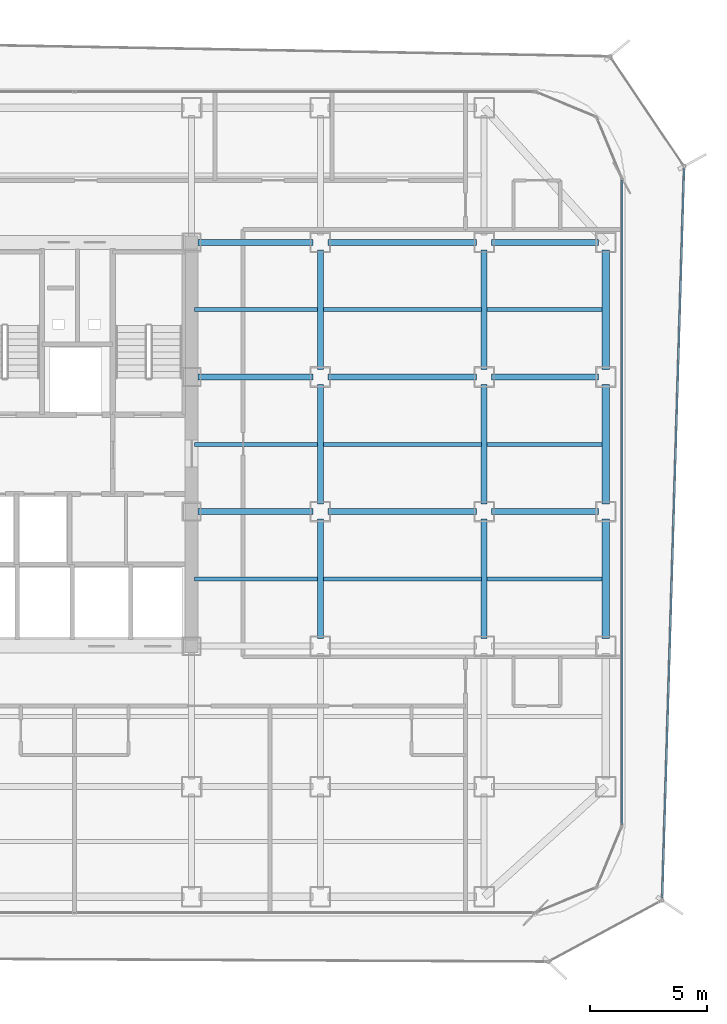
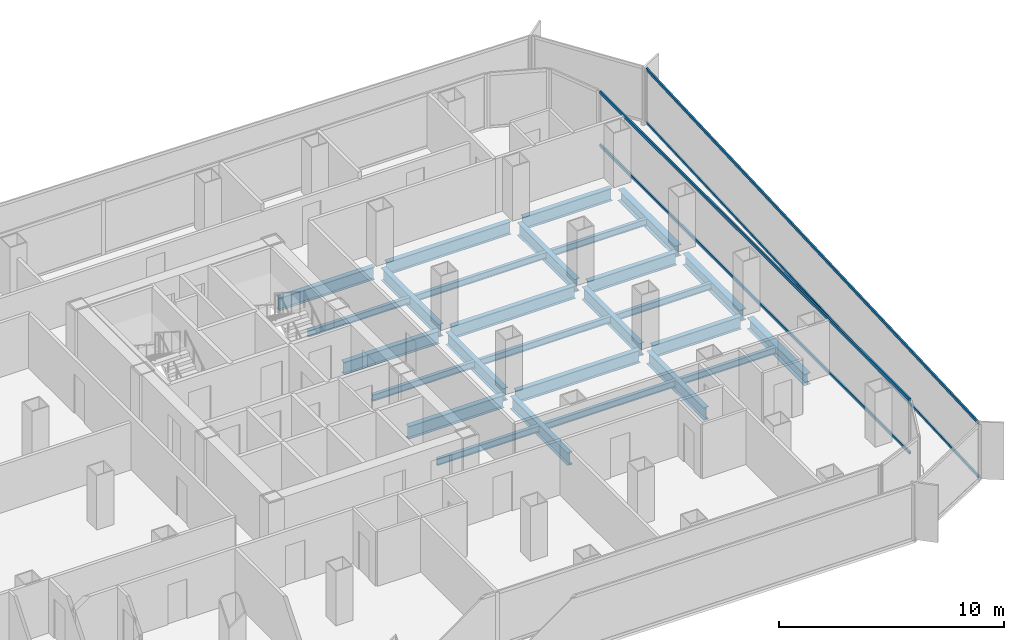
# One storey, part 9 of 21: 27 beams, 4 members, 2 elements without a shape of their own.
"""IFC4 building model written with IfcOpenShell, lengths in metres."""

from ifc_helpers import new_model, si_unit, direction, frame, origin, origin_2d, place, context, subcontext, project, spatial, hollow_rectangle, i_section, extrude, source, transform, mapped, material, layer, layer_set, material_profile, profile_set, type_object, element, aggregate, save


model = new_model("IFC4")

# Units and contexts
model_context = context("Model", 3, precision=1e-05, world=origin(), true_north=direction((0.0, 1.0)))
body_context = subcontext(model_context, "Body", "Model", "MODEL_VIEW")
ifc_project = project(units=[si_unit("LENGTHUNIT", "METRE"), si_unit("AREAUNIT", "SQUARE_METRE"), si_unit("VOLUMEUNIT", "CUBIC_METRE"), si_unit("PLANEANGLEUNIT", "RADIAN"), si_unit("MASSUNIT", "GRAM", prefix="KILO")], contexts=[model_context])

# Site, building, storey
site_placement = place(None, origin())
site = spatial("IfcSite", under=ifc_project, at=site_placement, CompositionType="ELEMENT")
building_placement = place(site_placement, origin())
building = spatial("IfcBuilding", under=site, at=building_placement, Name="Kolveth Station Tower", CompositionType="ELEMENT")
storey_placement = place(building_placement, frame((0.0, 0.0, 92.699951171875)))
storey = spatial("IfcBuildingStorey", under=building, at=storey_placement, Name="L24", CompositionType="ELEMENT", Elevation=92.699951171875)

# Beams
ifc_material_1 = material(Name="Steel S355", Category="steel")
ifc_material_profile_1 = material_profile(ifc_material_1, i_section(OverallWidth=0.323974609375, OverallDepth=0.611083984375, WebThickness=0.0126953125, FlangeThickness=0.01904296875, at=origin_2d()), Name="W610x155")
ifc_profile_set_1 = profile_set([ifc_material_profile_1], Name="Steel S355")
beam_type_1 = type_object("IfcBeamType", Name="Beam_SP2", PredefinedType="SPANDREL", material=ifc_profile_set_1)
shared_shape_1 = source(origin(), body_context, "Body", "SweptSolid", [
    extrude(i_section(OverallWidth=0.323974609375, OverallDepth=0.611083984375, WebThickness=0.0126953125, FlangeThickness=0.01904296875, at=origin_2d()), origin(), (0.0, 0.0, 1.0), 5.10986328125),
])
for number, where, z_axis, x_axis, name in (
    (1, (46.199951171875, 11.820068359375, -0.555419921875), (0.0, 1.0, 0.0), (-1.0, 0.0, 0.0), "L24 Perimeter Spandrel BM-L24-PE-2"),
    (2, (46.199951171875, 17.570068359375, -0.555419921875), (0.0, 1.0, 0.0), (-1.0, 0.0, 0.0), "L24 Perimeter Spandrel BM-L24-PE-3"),
    (3, (46.199951171875, 23.320068359375, -0.555419921875), (0.0, 1.0, 0.0), (-1.0, 0.0, 0.0), "L24 Perimeter Spandrel BM-L24-PE-4"),
):
    element("IfcBeam", number, at=place(storey_placement, frame(where, z_axis=z_axis, x_axis=x_axis)), inside=storey, type_object=beam_type_1, Name=name, PredefinedType="SPANDREL", context=body_context, shape_type="MappedRepresentation", body=[
        mapped(shared_shape_1, transform((0.0, 0.0, 0.0), x_axis=(1.0, 0.0, 0.0), y_axis=(0.0, 1.0, 0.0), z_axis=(0.0, 0.0, 1.0), scale=1.0)),
    ])
ifc_material_profile_2 = material_profile(ifc_material_1, i_section(OverallWidth=0.25390625, OverallDepth=0.68798828125, WebThickness=0.01318359375, FlangeThickness=0.02099609375, at=origin_2d()), Name="W690x152")
ifc_profile_set_2 = profile_set([ifc_material_profile_2], Name="Steel S355")
beam_type_2 = type_object("IfcBeamType", Name="Beam_B4", PredefinedType="BEAM", material=ifc_profile_set_2)
shared_shape_2 = source(origin(), body_context, "Body", "SweptSolid", [
    extrude(i_section(OverallWidth=0.25390625, OverallDepth=0.68798828125, WebThickness=0.01318359375, FlangeThickness=0.02099609375, at=origin_2d()), origin(), (0.0, 0.0, 1.0), 4.559814453125),
])
for number, where, z_axis, x_axis, name in (
    (4, (41.320068359375, 17.25, -0.593994140625), (1.0, 0.0, 0.0), (0.0, 1.0, 0.0), "L24 Primary Girder BM-L24-GY172-7"),
    (5, (41.320068359375, 23.0, -0.593994140625), (1.0, 0.0, 0.0), (0.0, 1.0, 0.0), "L24 Primary Girder BM-L24-GY230-7"),
    (6, (41.320068359375, 28.75, -0.593994140625), (1.0, 0.0, 0.0), (0.0, 1.0, 0.0), "L24 Primary Girder BM-L24-GY287-7"),
):
    element("IfcBeam", number, at=place(storey_placement, frame(where, z_axis=z_axis, x_axis=x_axis)), inside=storey, type_object=beam_type_2, Name=name, PredefinedType="BEAM", context=body_context, shape_type="MappedRepresentation", body=[
        mapped(shared_shape_2, transform((0.0, 0.0, 0.0), x_axis=(1.0, 0.0, 0.0), y_axis=(0.0, 1.0, 0.0), z_axis=(0.0, 0.0, 1.0), scale=1.0)),
    ])
shared_shape_3 = source(origin(), body_context, "Body", "SweptSolid", [
    extrude(i_section(OverallWidth=0.25390625, OverallDepth=0.68798828125, WebThickness=0.01318359375, FlangeThickness=0.02099609375, at=origin_2d()), origin(), (0.0, 0.0, 1.0), 6.35986328125),
])
for number, where, z_axis, x_axis, name in (
    (7, (34.320068359375, 17.25, -0.593994140625), (1.0, 0.0, 0.0), (0.0, 1.0, 0.0), "L24 Primary Girder BM-L24-GY172-6"),
    (8, (34.320068359375, 23.0, -0.593994140625), (1.0, 0.0, 0.0), (0.0, 1.0, 0.0), "L24 Primary Girder BM-L24-GY230-6"),
    (9, (34.320068359375, 28.75, -0.593994140625), (1.0, 0.0, 0.0), (0.0, 1.0, 0.0), "L24 Primary Girder BM-L24-GY287-6"),
):
    element("IfcBeam", number, at=place(storey_placement, frame(where, z_axis=z_axis, x_axis=x_axis)), inside=storey, type_object=beam_type_2, Name=name, PredefinedType="BEAM", context=body_context, shape_type="MappedRepresentation", body=[
        mapped(shared_shape_3, transform((0.0, 0.0, 0.0), x_axis=(1.0, 0.0, 0.0), y_axis=(0.0, 1.0, 0.0), z_axis=(0.0, 0.0, 1.0), scale=1.0)),
    ])
shared_shape_4 = source(origin(), body_context, "Body", "SweptSolid", [
    extrude(i_section(OverallWidth=0.25390625, OverallDepth=0.68798828125, WebThickness=0.01318359375, FlangeThickness=0.02099609375, at=origin_2d()), origin(), (0.0, 0.0, 1.0), 4.89990234375),
])
for number, where, z_axis, x_axis, name in (
    (10, (28.780029296875, 17.25, -0.593994140625), (1.0, 0.0, 0.0), (0.0, 1.0, 0.0), "L24 Primary Girder BM-L24-GY172-5"),
    (11, (28.780029296875, 23.0, -0.593994140625), (1.0, 0.0, 0.0), (0.0, 1.0, 0.0), "L24 Primary Girder BM-L24-GY230-5"),
    (12, (28.780029296875, 28.75, -0.593994140625), (1.0, 0.0, 0.0), (0.0, 1.0, 0.0), "L24 Primary Girder BM-L24-GY287-5"),
):
    element("IfcBeam", number, at=place(storey_placement, frame(where, z_axis=z_axis, x_axis=x_axis)), inside=storey, type_object=beam_type_2, Name=name, PredefinedType="BEAM", context=body_context, shape_type="MappedRepresentation", body=[
        mapped(shared_shape_4, transform((0.0, 0.0, 0.0), x_axis=(1.0, 0.0, 0.0), y_axis=(0.0, 1.0, 0.0), z_axis=(0.0, 0.0, 1.0), scale=1.0)),
    ])
shared_shape_5 = source(origin(), body_context, "Body", "SweptSolid", [
    extrude(i_section(OverallWidth=0.25390625, OverallDepth=0.68798828125, WebThickness=0.01318359375, FlangeThickness=0.02099609375, at=origin_2d()), origin(), (0.0, 0.0, 1.0), 5.10986328125),
])
for number, where, z_axis, x_axis, name in (
    (13, (34.0, 11.820068359375, -0.593994140625), (0.0, 1.0, 0.0), (-1.0, 0.0, 0.0), "L24 Primary Girder BM-L24-GX340-3"),
    (14, (34.0, 17.570068359375, -0.593994140625), (0.0, 1.0, 0.0), (-1.0, 0.0, 0.0), "L24 Primary Girder BM-L24-GX340-4"),
    (15, (34.0, 23.320068359375, -0.593994140625), (0.0, 1.0, 0.0), (-1.0, 0.0, 0.0), "L24 Primary Girder BM-L24-GX340-5"),
    (16, (41.0, 11.820068359375, -0.593994140625), (0.0, 1.0, 0.0), (-1.0, 0.0, 0.0), "L24 Primary Girder BM-L24-GX410-3"),
    (17, (41.0, 17.570068359375, -0.593994140625), (0.0, 1.0, 0.0), (-1.0, 0.0, 0.0), "L24 Primary Girder BM-L24-GX410-4"),
    (18, (41.0, 23.320068359375, -0.593994140625), (0.0, 1.0, 0.0), (-1.0, 0.0, 0.0), "L24 Primary Girder BM-L24-GX410-5"),
):
    element("IfcBeam", number, at=place(storey_placement, frame(where, z_axis=z_axis, x_axis=x_axis)), inside=storey, type_object=beam_type_2, Name=name, PredefinedType="BEAM", context=body_context, shape_type="MappedRepresentation", body=[
        mapped(shared_shape_5, transform((0.0, 0.0, 0.0), x_axis=(1.0, 0.0, 0.0), y_axis=(0.0, 1.0, 0.0), z_axis=(0.0, 0.0, 1.0), scale=1.0)),
    ])
ifc_material_profile_3 = material_profile(ifc_material_1, i_section(OverallWidth=0.1708984375, OverallDepth=0.35205078125, WebThickness=0.0068359375, FlangeThickness=0.009765625, at=origin_2d()), Name="W360x44")
ifc_profile_set_3 = profile_set([ifc_material_profile_3], Name="Steel S355")
beam_type_3 = type_object("IfcBeamType", Name="Beam_J2", PredefinedType="JOIST", material=ifc_profile_set_3)
shared_shape_6 = source(origin(), body_context, "Body", "SweptSolid", [
    extrude(i_section(OverallWidth=0.1708984375, OverallDepth=0.35205078125, WebThickness=0.0068359375, FlangeThickness=0.009765625, at=origin_2d()), origin(), (0.0, 0.0, 1.0), 4.9150390625),
])
for number, where, z_axis, x_axis, name in (
    (19, (41.125, 14.375, -0.426025390625), (1.0, 0.0, 0.0), (0.0, 1.0, 0.0), "L24 Secondary Joist JST-L24-7-3"),
    (20, (41.125, 20.125, -0.426025390625), (1.0, 0.0, 0.0), (0.0, 1.0, 0.0), "L24 Secondary Joist JST-L24-7-4"),
    (21, (41.125, 25.875, -0.426025390625), (1.0, 0.0, 0.0), (0.0, 1.0, 0.0), "L24 Secondary Joist JST-L24-7-5"),
):
    element("IfcBeam", number, at=place(storey_placement, frame(where, z_axis=z_axis, x_axis=x_axis)), inside=storey, type_object=beam_type_3, Name=name, PredefinedType="JOIST", context=body_context, shape_type="MappedRepresentation", body=[
        mapped(shared_shape_6, transform((0.0, 0.0, 0.0), x_axis=(1.0, 0.0, 0.0), y_axis=(0.0, 1.0, 0.0), z_axis=(0.0, 0.0, 1.0), scale=1.0)),
    ])
shared_shape_7 = source(origin(), body_context, "Body", "SweptSolid", [
    extrude(i_section(OverallWidth=0.1708984375, OverallDepth=0.35205078125, WebThickness=0.0068359375, FlangeThickness=0.009765625, at=origin_2d()), origin(), (0.0, 0.0, 1.0), 6.75),
])
for number, where, z_axis, x_axis, name in (
    (22, (34.125, 14.375, -0.426025390625), (1.0, 0.0, 0.0), (0.0, 1.0, 0.0), "L24 Secondary Joist JST-L24-6-3"),
    (23, (34.125, 20.125, -0.426025390625), (1.0, 0.0, 0.0), (0.0, 1.0, 0.0), "L24 Secondary Joist JST-L24-6-4"),
    (24, (34.125, 25.875, -0.426025390625), (1.0, 0.0, 0.0), (0.0, 1.0, 0.0), "L24 Secondary Joist JST-L24-6-5"),
):
    element("IfcBeam", number, at=place(storey_placement, frame(where, z_axis=z_axis, x_axis=x_axis)), inside=storey, type_object=beam_type_3, Name=name, PredefinedType="JOIST", context=body_context, shape_type="MappedRepresentation", body=[
        mapped(shared_shape_7, transform((0.0, 0.0, 0.0), x_axis=(1.0, 0.0, 0.0), y_axis=(0.0, 1.0, 0.0), z_axis=(0.0, 0.0, 1.0), scale=1.0)),
    ])
shared_shape_8 = source(origin(), body_context, "Body", "SweptSolid", [
    extrude(i_section(OverallWidth=0.1708984375, OverallDepth=0.35205078125, WebThickness=0.0068359375, FlangeThickness=0.009765625, at=origin_2d()), origin(), (0.0, 0.0, 1.0), 5.25),
])
for number, where, z_axis, x_axis, name in (
    (25, (28.625, 14.375, -0.426025390625), (1.0, 0.0, 0.0), (0.0, 1.0, 0.0), "L24 Secondary Joist JST-L24-5-3"),
    (26, (28.625, 20.125, -0.426025390625), (1.0, 0.0, 0.0), (0.0, 1.0, 0.0), "L24 Secondary Joist JST-L24-5-4"),
    (27, (28.625, 25.875, -0.426025390625), (1.0, 0.0, 0.0), (0.0, 1.0, 0.0), "L24 Secondary Joist JST-L24-5-5"),
):
    element("IfcBeam", number, at=place(storey_placement, frame(where, z_axis=z_axis, x_axis=x_axis)), inside=storey, type_object=beam_type_3, Name=name, PredefinedType="JOIST", context=body_context, shape_type="MappedRepresentation", body=[
        mapped(shared_shape_8, transform((0.0, 0.0, 0.0), x_axis=(1.0, 0.0, 0.0), y_axis=(0.0, 1.0, 0.0), z_axis=(0.0, 0.0, 1.0), scale=1.0)),
    ])

# Curtain wall, members
ifc_material_2 = material(Name="Aluminium 6063-T6 and low-E dark glass", Category="aluminium")
ifc_layer_1 = layer(ifc_material_2, 0.18994140625)
ifc_layer_set_1 = layer_set([ifc_layer_1], Name="Aluminium 6063-T6 and low-E dark glass")
curtain_wall_type_1 = type_object("IfcCurtainWallType", Name="CurtainWall_CW-Z2", PredefinedType="NOTDEFINED", material=ifc_layer_set_1)
curtain_wall_1_placement = place(storey_placement, origin())
curtain_wall_1 = element("IfcCurtainWall", 28, at=curtain_wall_1_placement, inside=storey, type_object=curtain_wall_type_1, Name="L24 Inner Thermal Curtain Wall 3", PredefinedType="NOTDEFINED")
ifc_material_3 = material(Name="Black anodized aluminium 6063-T6", Category="aluminium")
ifc_material_profile_4 = material_profile(ifc_material_3, hollow_rectangle(XDim=0.080078125, YDim=0.169921875, WallThickness=0.0048828125, at=origin_2d()), Name="ALU-80x170x5")
ifc_profile_set_4 = profile_set([ifc_material_profile_4], Name="Black anodized aluminium 6063-T6")
member_type_1 = type_object("IfcMemberType", Name="Transom_TR2", PredefinedType="USERDEFINED", material=ifc_profile_set_4)
shared_shape_9 = source(origin(), body_context, "Body", "SweptSolid", [
    extrude(hollow_rectangle(XDim=0.080078125, YDim=0.169921875, WallThickness=0.0048828125, at=origin_2d()), origin(), (0.0, 0.0, 1.0), 27.5400390625),
])
member_1_placement = place(storey_placement, frame((46.8798828125, 3.8798828125, 0.0400390625), z_axis=(0.0, 1.0, 0.0), x_axis=(-1.0, 0.0, 0.0)))
member_1 = element("IfcMember", 29, at=member_1_placement, type_object=member_type_1, Name="CW-Z2 transom 1.1", ObjectType="TRANSOM", PredefinedType="USERDEFINED", context=body_context, shape_type="MappedRepresentation", body=[
    mapped(shared_shape_9, transform((0.0, 0.0, 0.0), x_axis=(1.0, 0.0, 0.0), y_axis=(0.0, 1.0, 0.0), z_axis=(0.0, 0.0, 1.0), scale=1.0)),
])
member_2_placement = place(storey_placement, frame((46.8798828125, 3.8798828125, 2.91015625), z_axis=(0.0, 1.0, 0.0), x_axis=(-1.0, 0.0, 0.0)))
member_2 = element("IfcMember", 30, at=member_2_placement, type_object=member_type_1, Name="CW-Z2 transom 1.2", ObjectType="TRANSOM", PredefinedType="USERDEFINED", context=body_context, shape_type="MappedRepresentation", body=[
    mapped(shared_shape_9, transform((0.0, 0.0, 0.0), x_axis=(1.0, 0.0, 0.0), y_axis=(0.0, 1.0, 0.0), z_axis=(0.0, 0.0, 1.0), scale=1.0)),
])
aggregate(curtain_wall_1, [member_1, member_2])

ifc_material_4 = material(Name="Black anodized aluminium 6063-T6 and dark solar glass", Category="aluminium")
ifc_layer_2 = layer(ifc_material_4, 0.159912109375)
ifc_layer_set_2 = layer_set([ifc_layer_2], Name="Black anodized aluminium 6063-T6 and dark solar glass")
curtain_wall_type_2 = type_object("IfcCurtainWallType", Name="OUTER SKIN CW-OS", PredefinedType="NOTDEFINED", material=ifc_layer_set_2)
curtain_wall_2_placement = place(storey_placement, origin())
curtain_wall_2 = element("IfcCurtainWall", 31, at=curtain_wall_2_placement, inside=storey, type_object=curtain_wall_type_2, Name="L24 Outer Ventilated Skin Curtain Wall 2", PredefinedType="NOTDEFINED")
ifc_material_profile_5 = material_profile(ifc_material_3, hollow_rectangle(XDim=0.080078125, YDim=0.14990234375, WallThickness=0.0048828125, at=origin_2d()), Name="ALU-80x150x5")
ifc_profile_set_5 = profile_set([ifc_material_profile_5], Name="Black anodized aluminium 6063-T6")
member_type_2 = type_object("IfcMemberType", Name="Transom_TR-OS", PredefinedType="USERDEFINED", material=ifc_profile_set_5)
shared_shape_10 = source(origin(), body_context, "Body", "SweptSolid", [
    extrude(hollow_rectangle(XDim=0.080078125, YDim=0.14990234375, WallThickness=0.0048828125, at=origin_2d()), origin(), (0.0, 0.0, 1.0), 31.189208984375),
])
member_3_placement = place(storey_placement, frame((48.603515625, 0.734375, 0.0400390625), z_axis=(0.029940992764, 0.999551667975, 0.0), x_axis=(-0.999551667975, 0.029940992764, 0.0)))
member_3 = element("IfcMember", 32, at=member_3_placement, type_object=member_type_2, Name="CW-OS transom 1.1", ObjectType="TRANSOM", PredefinedType="USERDEFINED", context=body_context, shape_type="MappedRepresentation", body=[
    mapped(shared_shape_10, transform((0.0, 0.0, 0.0), x_axis=(1.0, 0.0, 0.0), y_axis=(0.0, 1.0, 0.0), z_axis=(0.0, 0.0, 1.0), scale=1.0)),
])
member_4_placement = place(storey_placement, frame((48.603515625, 0.734375, 2.949951171875), z_axis=(0.029940992764, 0.999551667975, 0.0), x_axis=(-0.999551667975, 0.029940992764, 0.0)))
member_4 = element("IfcMember", 33, at=member_4_placement, type_object=member_type_2, Name="CW-OS transom 1.2", ObjectType="TRANSOM", PredefinedType="USERDEFINED", context=body_context, shape_type="MappedRepresentation", body=[
    mapped(shared_shape_10, transform((0.0, 0.0, 0.0), x_axis=(1.0, 0.0, 0.0), y_axis=(0.0, 1.0, 0.0), z_axis=(0.0, 0.0, 1.0), scale=1.0)),
])
aggregate(curtain_wall_2, [member_3, member_4])

save(model, "model.ifc")
